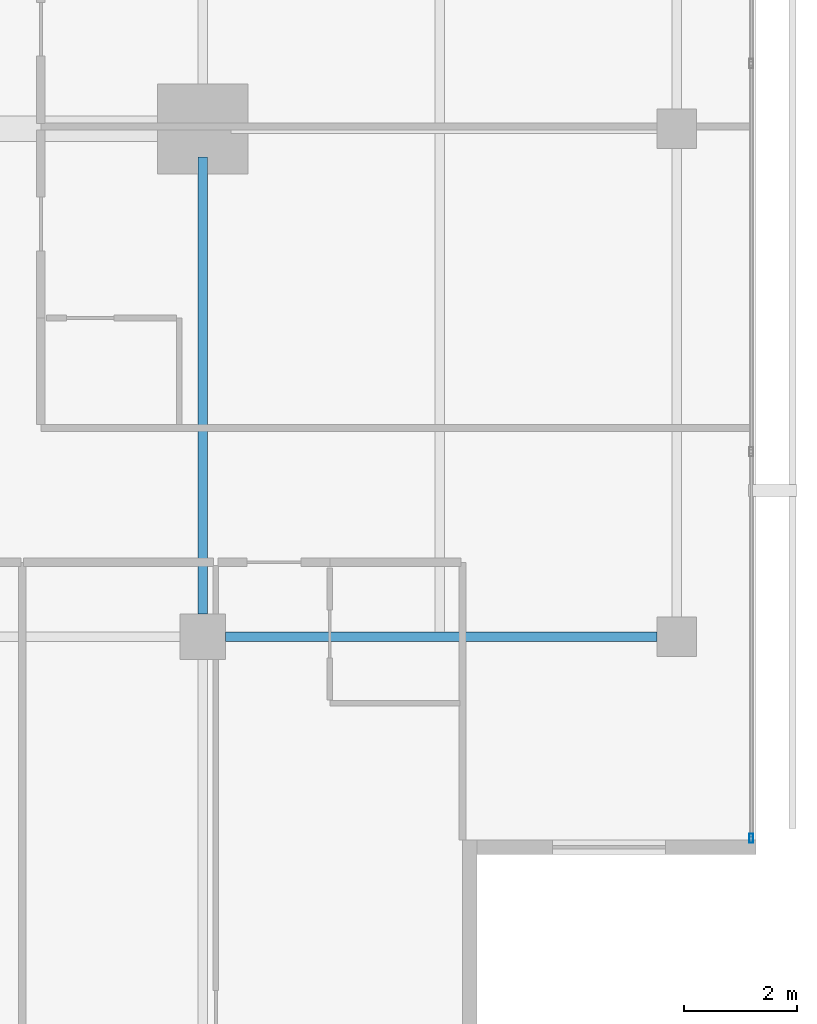
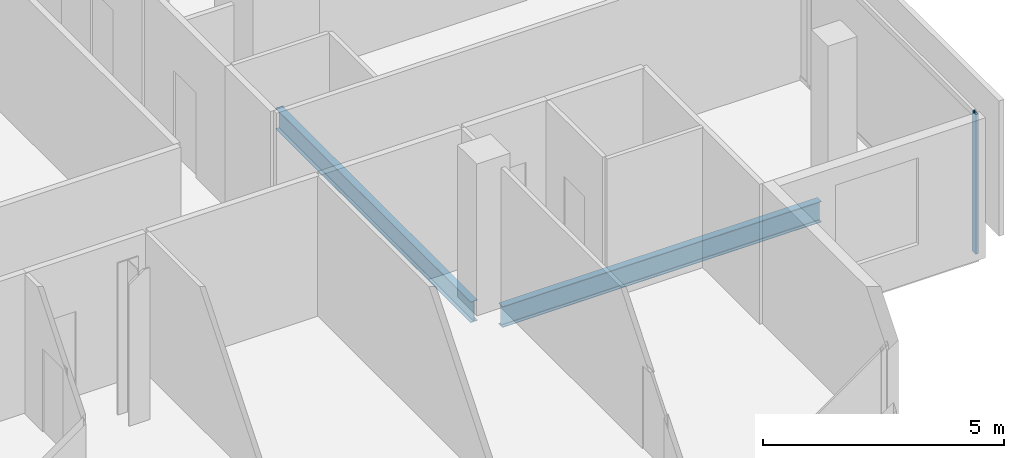
# One storey, part 11 of 26: 2 beams, 1 member, 1 element without a shape of its own.
"""IFC4 building model written with IfcOpenShell, lengths in metres."""

from ifc_helpers import new_model, si_unit, direction, frame, origin, origin_2d, place, context, subcontext, project, spatial, hollow_rectangle, i_section, extrude, material, layer, layer_set, material_profile, profile_set, type_object, element, aggregate, save


model = new_model("IFC4")

# Units and contexts
model_context = context("Model", 3, precision=1e-05, world=origin(), true_north=direction((0.0, 1.0)))
body_context = subcontext(model_context, "Body", "Model", "MODEL_VIEW")
ifc_project = project(units=[si_unit("LENGTHUNIT", "METRE"), si_unit("AREAUNIT", "SQUARE_METRE"), si_unit("VOLUMEUNIT", "CUBIC_METRE"), si_unit("PLANEANGLEUNIT", "RADIAN"), si_unit("MASSUNIT", "GRAM", prefix="KILO")], contexts=[model_context])

# Site, building, storey
site_placement = place(None, origin())
site = spatial("IfcSite", under=ifc_project, at=site_placement, CompositionType="ELEMENT")
building_placement = place(site_placement, origin())
building = spatial("IfcBuilding", under=site, at=building_placement, Name="Maruvema Waterfront Hotel and Observation Tower", CompositionType="ELEMENT")
storey_placement = place(building_placement, frame((0.0, 0.0, 312.550048828125)))
storey = spatial("IfcBuildingStorey", under=building, at=storey_placement, Name="L77", CompositionType="ELEMENT", Elevation=312.550048828125)

# Curtain wall, member
ifc_material_1 = material(Name="Anodised bronze aluminium and solar-control low-E IGU", Category="aluminium")
ifc_layer = layer(ifc_material_1, 0.159912109375, Name="Zone 3 Champagne Inner Thermal Curtain Wall System CW-04")
ifc_layer_set = layer_set([ifc_layer], Name="Anodised bronze aluminium and solar-control low-E IGU")
curtain_wall_type = type_object("IfcCurtainWallType", Name="Zone 3 Champagne Inner Thermal Curtain Wall System CW-04", PredefinedType="USERDEFINED", material=ifc_layer_set)
curtain_wall_placement = place(storey_placement, origin())
curtain_wall = element("IfcCurtainWall", 1, at=curtain_wall_placement, inside=storey, type_object=curtain_wall_type, Name="L77 Curtain Wall CW-L77-E", ObjectType="UNITISED CURTAIN WALL", PredefinedType="USERDEFINED")
ifc_material_2 = material(Name="Anodised architectural bronze aluminium", Category="aluminium")
ifc_material_profile_1 = material_profile(ifc_material_2, hollow_rectangle(XDim=0.06494140625, YDim=0.1650390625, WallThickness=0.00390625, at=origin_2d()), Name="ALU-M65x165")
ifc_profile_set_1 = profile_set([ifc_material_profile_1], Name="Anodised architectural bronze aluminium")
member_type = type_object("IfcMemberType", Name="Curtain Wall Primary Mullion ALU-M65x165", PredefinedType="MULLION", material=ifc_profile_set_1)
member_placement = place(storey_placement, frame((60.1201171875, 14.429931640625, 0.0), z_axis=(0.0, 0.0, 1.0), x_axis=(-1.0, 0.0, 0.0)))
member = element("IfcMember", 2, at=member_placement, type_object=member_type, Name="CW-04 mullion 1", PredefinedType="MULLION", context=body_context, shape_type="SweptSolid", body=[
    extrude(hollow_rectangle(XDim=0.06494140625, YDim=0.1650390625, WallThickness=0.00390625, at=origin_2d()), origin(), (0.0, 0.0, 1.0), 3.550048828125),
])
aggregate(curtain_wall, [member])

# Beams
ifc_material_3 = material(Name="Steel ASTM A572 Grade 50", Category="steel")
ifc_material_profile_2 = material_profile(ifc_material_3, i_section(OverallWidth=0.166015625, OverallDepth=0.529052734375, WebThickness=0.009765625, FlangeThickness=0.013671875, FilletRadius=0.014892578125, at=origin_2d()), Name="W530x74.0")
ifc_profile_set_2 = profile_set([ifc_material_profile_2], Name="Steel ASTM A572 Grade 50")
beam_type = type_object("IfcBeamType", Name="Primary Floor Girder W530x74.0", PredefinedType="BEAM", material=ifc_profile_set_2)
beam_1_placement = place(storey_placement, frame((50.800048828125, 18.0, -0.504638671875), z_axis=(1.0, 0.0, 0.0), x_axis=(0.0, 1.0, 0.0)))
element("IfcBeam", 3, at=beam_1_placement, inside=storey, type_object=beam_type, Name="L77 Floor Girder EW-08", PredefinedType="BEAM", context=body_context, shape_type="SweptSolid", body=[
    extrude(i_section(OverallWidth=0.166015625, OverallDepth=0.529052734375, WebThickness=0.009765625, FlangeThickness=0.013671875, FilletRadius=0.014892578125, at=origin_2d()), origin(), (0.0, 0.0, 1.0), 7.64990234375),
])
beam_2_placement = place(storey_placement, frame((50.39990234375, 18.39990234375, -0.504638671875), z_axis=(0.0, 1.0, 0.0), x_axis=(-1.0, 0.0, 0.0)))
element("IfcBeam", 4, at=beam_2_placement, inside=storey, type_object=beam_type, Name="L77 Floor Girder NS-13", PredefinedType="BEAM", context=body_context, shape_type="SweptSolid", body=[
    extrude(i_section(OverallWidth=0.166015625, OverallDepth=0.529052734375, WebThickness=0.009765625, FlangeThickness=0.013671875, FilletRadius=0.014892578125, at=origin_2d()), origin(), (0.0, 0.0, 1.0), 8.10009765625),
])

save(model, "model.ifc")
